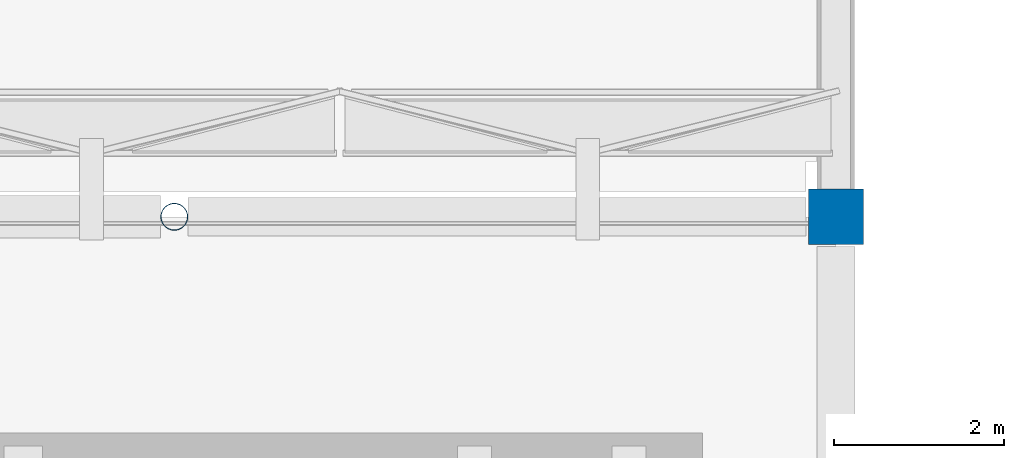
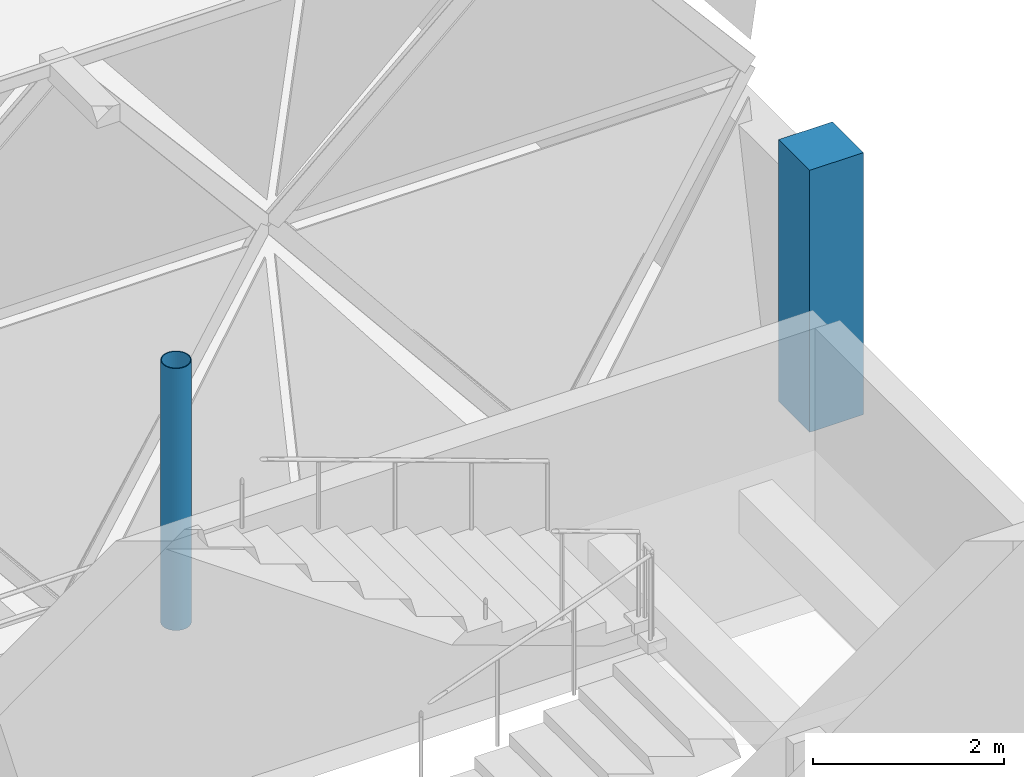
# One storey, part 6 of 93: 2 columns.
"""IFC4 building model written with IfcOpenShell, lengths in metres."""

from ifc_helpers import new_model, si_unit, direction, frame, origin, origin_2d, place, context, subcontext, project, spatial, rectangle, hollow_circle, extrude, material, material_profile, profile_set, type_object, element, save


model = new_model("IFC4")

# Units and contexts
model_context = context("Model", 3, precision=1e-05, world=origin(), true_north=direction((0.0, 1.0)))
body_context = subcontext(model_context, "Body", "Model", "MODEL_VIEW")
ifc_project = project(units=[si_unit("LENGTHUNIT", "METRE"), si_unit("AREAUNIT", "SQUARE_METRE"), si_unit("VOLUMEUNIT", "CUBIC_METRE"), si_unit("PLANEANGLEUNIT", "RADIAN"), si_unit("MASSUNIT", "GRAM", prefix="KILO")], contexts=[model_context])

# Site, building, storey
site_placement = place(None, origin())
site = spatial("IfcSite", under=ifc_project, at=site_placement, CompositionType="ELEMENT")
building_placement = place(site_placement, origin())
building = spatial("IfcBuilding", under=site, at=building_placement, Name="Varnakota Cinema and Media Centre", CompositionType="ELEMENT")
storey_placement = place(building_placement, frame((0.0, 0.0, 12.0)))
storey = spatial("IfcBuildingStorey", under=building, at=storey_placement, Name="L03", CompositionType="ELEMENT", Elevation=12.0)

# Columns
ifc_material_1 = material(Name="Concrete M40", Category="concrete")
ifc_material_profile_1 = material_profile(ifc_material_1, rectangle(XDim=0.64990234375, YDim=0.64990234375, at=origin_2d()), Name="RC 650x650")
ifc_profile_set_1 = profile_set([ifc_material_profile_1], Name="Concrete M40")
column_type_1 = type_object("IfcColumnType", Name="COL-RC-650x650", PredefinedType="COLUMN", material=ifc_profile_set_1)
column_1_placement = place(storey_placement, frame((75.0, 26.39990234375, 0.0), z_axis=(0.0, 0.0, 1.0), x_axis=(1.0, 0.0, 0.0)))
element("IfcColumn", 1, at=column_1_placement, inside=storey, type_object=column_type_1, Name="L03 column K/4", PredefinedType="COLUMN", context=body_context, shape_type="SweptSolid", body=[
    extrude(rectangle(XDim=0.64990234375, YDim=0.64990234375, at=origin_2d()), origin(), (0.0, 0.0, 1.0), 3.35009765625),
])
ifc_material_2 = material(Name="Structural steel S355 (YSt 355)", Category="steel")
ifc_material_profile_2 = material_profile(ifc_material_2, hollow_circle(Radius=0.161865234375, WallThickness=0.010009765625, at=origin_2d()), Name="CHS 323.9x10.0")
ifc_profile_set_2 = profile_set([ifc_material_profile_2], Name="Structural steel S355 (YSt 355)")
column_type_2 = type_object("IfcColumnType", Name="COL-ST-CHS324", PredefinedType="COLUMN", material=ifc_profile_set_2)
column_2_placement = place(storey_placement, frame((67.199951171875, 26.39990234375, 0.0), z_axis=(0.0, 0.0, 1.0), x_axis=(1.0, 0.0, 0.0)))
element("IfcColumn", 2, at=column_2_placement, inside=storey, type_object=column_type_2, Name="L03 column J/4", PredefinedType="COLUMN", context=body_context, shape_type="SweptSolid", body=[
    extrude(hollow_circle(Radius=0.161865234375, WallThickness=0.010009765625, at=origin_2d()), origin(), (0.0, 0.0, 1.0), 3.35009765625),
])

save(model, "model.ifc")
